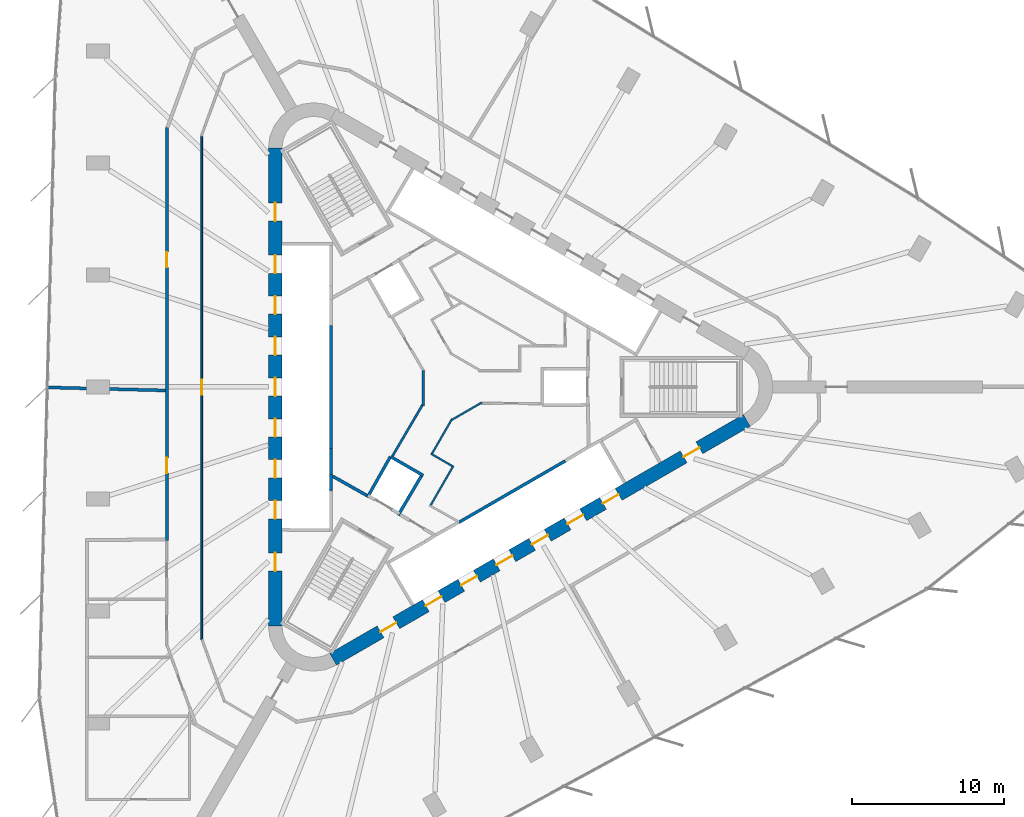
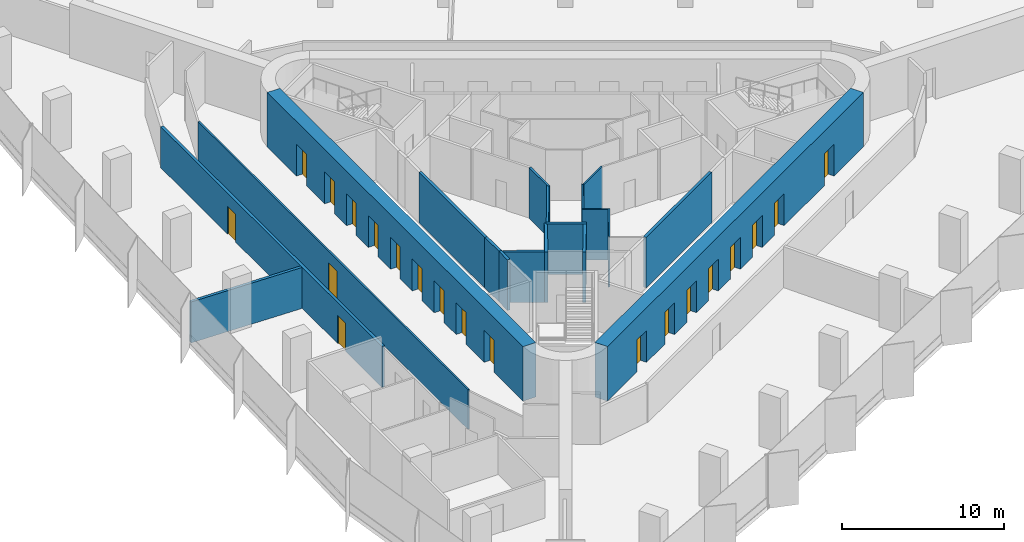
# One storey, part 9 of 13: 20 doors, 19 walls, 20 openings.
"""IFC4 building model written with IfcOpenShell, lengths in metres."""

from ifc_helpers import new_model, si_unit, direction, frame, frame_2d, origin, place, context, subcontext, project, spatial, rectangle, extrude, material, layer, layer_set, type_object, element, fill, save


model = new_model("IFC4")

# Units and contexts
model_context = context("Model", 3, precision=1e-05, world=origin(), true_north=direction((0.0, 1.0)))
body_context = subcontext(model_context, "Body", "Model", "MODEL_VIEW")
ifc_project = project(units=[si_unit("LENGTHUNIT", "METRE"), si_unit("AREAUNIT", "SQUARE_METRE"), si_unit("VOLUMEUNIT", "CUBIC_METRE"), si_unit("PLANEANGLEUNIT", "RADIAN"), si_unit("MASSUNIT", "GRAM", prefix="KILO")], contexts=[model_context])

# Site, building, storey
site_placement = place(None, origin())
site = spatial("IfcSite", under=ifc_project, at=site_placement, CompositionType="ELEMENT")
building_placement = place(site_placement, origin())
building = spatial("IfcBuilding", under=site, at=building_placement, Name="Tanit Gate Tower", CompositionType="ELEMENT")
storey_placement = place(building_placement, frame((0.0, 0.0, 66.0)))
storey = spatial("IfcBuildingStorey", under=building, at=storey_placement, Name="L12", CompositionType="ELEMENT", Elevation=66.0)

# Wall, openings, doors
ifc_material_1 = material(Name="Concrete C60/75", Category="concrete")
ifc_layer_1 = layer(ifc_material_1, 0.89990234375)
ifc_layer_set_1 = layer_set([ifc_layer_1], Name="CORE WALL 900 C60/75")
wall_type_1 = type_object("IfcWallType", Name="CORE WALL 900 C60/75", PredefinedType="SHEAR", material=ifc_layer_set_1)
wall_1_placement = place(storey_placement, frame((-11.64990234375, 15.76171875, 0.0), z_axis=(0.0, 0.0, 1.0), x_axis=(0.0, -1.0, 0.0)))
wall_1 = element("IfcWall", 1, at=wall_1_placement, inside=storey, type_object=wall_type_1, Name="CORE WALL", PredefinedType="SHEAR", context=body_context, shape_type="SweptSolid", body=[
    extrude(rectangle(XDim=31.5234375, YDim=0.89990234375, at=frame_2d((15.76171875, 0.0))), origin(), (0.0, 0.0, 1.0), 4.10009765625),
])
opening_1_placement = place(wall_1_placement, frame((7.061767578125, 0.0, 0.0)))
opening_1 = element("IfcOpeningElement", 2, at=opening_1_placement, cuts=wall_1, Name="Opening LDLL1-S01", PredefinedType="OPENING", context=body_context, shape_type="SweptSolid", body=[
    extrude(rectangle(XDim=1.199951171875, YDim=2.39990234375, at=frame_2d((0.60009765625, 1.199951171875))), frame((0.0, 0.4599609375, 0.0), z_axis=(0.0, -1.0, 0.0), x_axis=(1.0, 0.0, 0.0)), (0.0, 0.0, 1.0), 0.919921875),
])
opening_2_placement = place(wall_1_placement, frame((9.76171875, 0.0, 0.0)))
opening_2 = element("IfcOpeningElement", 3, at=opening_2_placement, cuts=wall_1, Name="Opening LDLL2-S01", PredefinedType="OPENING", context=body_context, shape_type="SweptSolid", body=[
    extrude(rectangle(XDim=1.199951171875, YDim=2.39990234375, at=frame_2d((0.60009765625, 1.199951171875))), frame((0.0, 0.4599609375, 0.0), z_axis=(0.0, -1.0, 0.0), x_axis=(1.0, 0.0, 0.0)), (0.0, 0.0, 1.0), 0.919921875),
])
opening_3_placement = place(wall_1_placement, frame((12.461669921875, 0.0, 0.0)))
opening_3 = element("IfcOpeningElement", 4, at=opening_3_placement, cuts=wall_1, Name="Opening LDLL3-S01", PredefinedType="OPENING", context=body_context, shape_type="SweptSolid", body=[
    extrude(rectangle(XDim=1.199951171875, YDim=2.39990234375, at=frame_2d((0.60009765625, 1.199951171875))), frame((0.0, 0.4599609375, 0.0), z_axis=(0.0, -1.0, 0.0), x_axis=(1.0, 0.0, 0.0)), (0.0, 0.0, 1.0), 0.919921875),
])
opening_4_placement = place(wall_1_placement, frame((15.16162109375, 0.0, 0.0)))
opening_4 = element("IfcOpeningElement", 5, at=opening_4_placement, cuts=wall_1, Name="Opening LDLL4-S01", PredefinedType="OPENING", context=body_context, shape_type="SweptSolid", body=[
    extrude(rectangle(XDim=1.199951171875, YDim=2.39990234375, at=frame_2d((0.60009765625, 1.199951171875))), frame((0.0, 0.4599609375, 0.0), z_axis=(0.0, -1.0, 0.0), x_axis=(1.0, 0.0, 0.0)), (0.0, 0.0, 1.0), 0.919921875),
])
opening_5_placement = place(wall_1_placement, frame((17.86181640625, 0.0, 0.0)))
opening_5 = element("IfcOpeningElement", 6, at=opening_5_placement, cuts=wall_1, Name="Opening LDLL5-S01", PredefinedType="OPENING", context=body_context, shape_type="SweptSolid", body=[
    extrude(rectangle(XDim=1.199951171875, YDim=2.39990234375, at=frame_2d((0.60009765625, 1.199951171875))), frame((0.0, 0.4599609375, 0.0), z_axis=(0.0, -1.0, 0.0), x_axis=(1.0, 0.0, 0.0)), (0.0, 0.0, 1.0), 0.919921875),
])
opening_6_placement = place(wall_1_placement, frame((20.561767578125, 0.0, 0.0)))
opening_6 = element("IfcOpeningElement", 7, at=opening_6_placement, cuts=wall_1, Name="Opening LDLL6-S01", PredefinedType="OPENING", context=body_context, shape_type="SweptSolid", body=[
    extrude(rectangle(XDim=1.199951171875, YDim=2.39990234375, at=frame_2d((0.60009765625, 1.199951171875))), frame((0.0, 0.4599609375, 0.0), z_axis=(0.0, -1.0, 0.0), x_axis=(1.0, 0.0, 0.0)), (0.0, 0.0, 1.0), 0.919921875),
])
opening_7_placement = place(wall_1_placement, frame((23.26171875, 0.0, 0.0)))
opening_7 = element("IfcOpeningElement", 8, at=opening_7_placement, cuts=wall_1, Name="Opening LDLL7-S01", PredefinedType="OPENING", context=body_context, shape_type="SweptSolid", body=[
    extrude(rectangle(XDim=1.199951171875, YDim=2.39990234375, at=frame_2d((0.60009765625, 1.199951171875))), frame((0.0, 0.4599609375, 0.0), z_axis=(0.0, -1.0, 0.0), x_axis=(1.0, 0.0, 0.0)), (0.0, 0.0, 1.0), 0.919921875),
])
opening_8_placement = place(wall_1_placement, frame((3.61181640625, 0.0, 0.0)))
opening_8 = element("IfcOpeningElement", 9, at=opening_8_placement, cuts=wall_1, Name="Opening F12-S01-FL2", PredefinedType="OPENING", context=body_context, shape_type="SweptSolid", body=[
    extrude(rectangle(XDim=1.199951171875, YDim=2.39990234375, at=frame_2d((0.60009765625, 1.199951171875))), frame((0.0, 0.4599609375, 0.0), z_axis=(0.0, -1.0, 0.0), x_axis=(1.0, 0.0, 0.0)), (0.0, 0.0, 1.0), 0.919921875),
])
opening_9_placement = place(wall_1_placement, frame((26.711669921875, 0.0, 0.0)))
opening_9 = element("IfcOpeningElement", 10, at=opening_9_placement, cuts=wall_1, Name="Opening F12-S01-S3", PredefinedType="OPENING", context=body_context, shape_type="SweptSolid", body=[
    extrude(rectangle(XDim=1.199951171875, YDim=2.39990234375, at=frame_2d((0.60009765625, 1.199951171875))), frame((0.0, 0.4599609375, 0.0), z_axis=(0.0, -1.0, 0.0), x_axis=(1.0, 0.0, 0.0)), (0.0, 0.0, 1.0), 0.919921875),
])
ifc_material_2 = material(Name="Fire-rated steel door leaf", Category="steel")
door_type_1 = type_object("IfcDoorType", Name="INT-DOOR-FIRE-LOBBY-1200", OperationType="NOTDEFINED", PredefinedType="USERDEFINED", material=ifc_material_2)
door_1_placement = place(opening_8_placement, origin())
door_1 = element("IfcDoor", 11, at=door_1_placement, inside=storey, type_object=door_type_1, Name="Door F12-S01-FL2", ObjectType="FIRE DOOR", OperationType="SINGLE_SWING_LEFT", OverallHeight=2.39990234375, OverallWidth=1.199951171875, PredefinedType="USERDEFINED", context=body_context, shape_type="SweptSolid", body=[
    extrude(rectangle(XDim=1.199951171875, YDim=2.39990234375, at=frame_2d((0.60009765625, 1.199951171875))), frame((0.0, 0.02490234375, 0.0), z_axis=(0.0, -1.0, 0.0), x_axis=(1.0, 0.0, 0.0)), (0.0, 0.0, 1.0), 0.050048828125),
])
fill(opening_8, door_1)
door_2_placement = place(opening_9_placement, origin())
door_2 = element("IfcDoor", 12, at=door_2_placement, inside=storey, type_object=door_type_1, Name="Door F12-S01-S3", ObjectType="FIRE DOOR", OperationType="SINGLE_SWING_LEFT", OverallHeight=2.39990234375, OverallWidth=1.199951171875, PredefinedType="USERDEFINED", context=body_context, shape_type="SweptSolid", body=[
    extrude(rectangle(XDim=1.199951171875, YDim=2.39990234375, at=frame_2d((0.60009765625, 1.199951171875))), frame((0.0, 0.02490234375, 0.0), z_axis=(0.0, -1.0, 0.0), x_axis=(1.0, 0.0, 0.0)), (0.0, 0.0, 1.0), 0.050048828125),
])
fill(opening_9, door_2)
ifc_material_3 = material(Name="Stainless steel sliding door leaf", Category="steel")
door_type_2 = type_object("IfcDoorType", Name="INT-DOOR-LANDING-1200", OperationType="NOTDEFINED", PredefinedType="USERDEFINED", material=ifc_material_3)
door_3_placement = place(opening_1_placement, origin())
door_3 = element("IfcDoor", 13, at=door_3_placement, inside=storey, type_object=door_type_2, Name="Door LDLL1-S01", ObjectType="LANDING DOOR", OperationType="SLIDING_TO_LEFT", OverallHeight=2.39990234375, OverallWidth=1.199951171875, PredefinedType="USERDEFINED", context=body_context, shape_type="SweptSolid", body=[
    extrude(rectangle(XDim=1.199951171875, YDim=2.39990234375, at=frame_2d((0.60009765625, 1.199951171875))), frame((0.0, 0.02490234375, 0.0), z_axis=(0.0, -1.0, 0.0), x_axis=(1.0, 0.0, 0.0)), (0.0, 0.0, 1.0), 0.050048828125),
])
fill(opening_1, door_3)
door_4_placement = place(opening_2_placement, origin())
door_4 = element("IfcDoor", 14, at=door_4_placement, inside=storey, type_object=door_type_2, Name="Door LDLL2-S01", ObjectType="LANDING DOOR", OperationType="SLIDING_TO_LEFT", OverallHeight=2.39990234375, OverallWidth=1.199951171875, PredefinedType="USERDEFINED", context=body_context, shape_type="SweptSolid", body=[
    extrude(rectangle(XDim=1.199951171875, YDim=2.39990234375, at=frame_2d((0.60009765625, 1.199951171875))), frame((0.0, 0.02490234375, 0.0), z_axis=(0.0, -1.0, 0.0), x_axis=(1.0, 0.0, 0.0)), (0.0, 0.0, 1.0), 0.050048828125),
])
fill(opening_2, door_4)
door_5_placement = place(opening_3_placement, origin())
door_5 = element("IfcDoor", 15, at=door_5_placement, inside=storey, type_object=door_type_2, Name="Door LDLL3-S01", ObjectType="LANDING DOOR", OperationType="SLIDING_TO_LEFT", OverallHeight=2.39990234375, OverallWidth=1.199951171875, PredefinedType="USERDEFINED", context=body_context, shape_type="SweptSolid", body=[
    extrude(rectangle(XDim=1.199951171875, YDim=2.39990234375, at=frame_2d((0.60009765625, 1.199951171875))), frame((0.0, 0.02490234375, 0.0), z_axis=(0.0, -1.0, 0.0), x_axis=(1.0, 0.0, 0.0)), (0.0, 0.0, 1.0), 0.050048828125),
])
fill(opening_3, door_5)
door_6_placement = place(opening_4_placement, origin())
door_6 = element("IfcDoor", 16, at=door_6_placement, inside=storey, type_object=door_type_2, Name="Door LDLL4-S01", ObjectType="LANDING DOOR", OperationType="SLIDING_TO_LEFT", OverallHeight=2.39990234375, OverallWidth=1.199951171875, PredefinedType="USERDEFINED", context=body_context, shape_type="SweptSolid", body=[
    extrude(rectangle(XDim=1.199951171875, YDim=2.39990234375, at=frame_2d((0.60009765625, 1.199951171875))), frame((0.0, 0.02490234375, 0.0), z_axis=(0.0, -1.0, 0.0), x_axis=(1.0, 0.0, 0.0)), (0.0, 0.0, 1.0), 0.050048828125),
])
fill(opening_4, door_6)
door_7_placement = place(opening_5_placement, origin())
door_7 = element("IfcDoor", 17, at=door_7_placement, inside=storey, type_object=door_type_2, Name="Door LDLL5-S01", ObjectType="LANDING DOOR", OperationType="SLIDING_TO_LEFT", OverallHeight=2.39990234375, OverallWidth=1.199951171875, PredefinedType="USERDEFINED", context=body_context, shape_type="SweptSolid", body=[
    extrude(rectangle(XDim=1.199951171875, YDim=2.39990234375, at=frame_2d((0.60009765625, 1.199951171875))), frame((0.0, 0.02490234375, 0.0), z_axis=(0.0, -1.0, 0.0), x_axis=(1.0, 0.0, 0.0)), (0.0, 0.0, 1.0), 0.050048828125),
])
fill(opening_5, door_7)
door_8_placement = place(opening_6_placement, origin())
door_8 = element("IfcDoor", 18, at=door_8_placement, inside=storey, type_object=door_type_2, Name="Door LDLL6-S01", ObjectType="LANDING DOOR", OperationType="SLIDING_TO_LEFT", OverallHeight=2.39990234375, OverallWidth=1.199951171875, PredefinedType="USERDEFINED", context=body_context, shape_type="SweptSolid", body=[
    extrude(rectangle(XDim=1.199951171875, YDim=2.39990234375, at=frame_2d((0.60009765625, 1.199951171875))), frame((0.0, 0.02490234375, 0.0), z_axis=(0.0, -1.0, 0.0), x_axis=(1.0, 0.0, 0.0)), (0.0, 0.0, 1.0), 0.050048828125),
])
fill(opening_6, door_8)
door_9_placement = place(opening_7_placement, origin())
door_9 = element("IfcDoor", 19, at=door_9_placement, inside=storey, type_object=door_type_2, Name="Door LDLL7-S01", ObjectType="LANDING DOOR", OperationType="SLIDING_TO_LEFT", OverallHeight=2.39990234375, OverallWidth=1.199951171875, PredefinedType="USERDEFINED", context=body_context, shape_type="SweptSolid", body=[
    extrude(rectangle(XDim=1.199951171875, YDim=2.39990234375, at=frame_2d((0.60009765625, 1.199951171875))), frame((0.0, 0.02490234375, 0.0), z_axis=(0.0, -1.0, 0.0), x_axis=(1.0, 0.0, 0.0)), (0.0, 0.0, 1.0), 0.050048828125),
])
fill(opening_7, door_9)

wall_2_placement = place(storey_placement, frame((-7.824951171875, -17.969970703125, 0.0), z_axis=(0.0, 0.0, 1.0), x_axis=(0.866028369851, 0.499994862586, 0.0)))
wall_2 = element("IfcWall", 20, at=wall_2_placement, inside=storey, type_object=wall_type_1, Name="CORE WALL", PredefinedType="SHEAR", context=body_context, shape_type="SweptSolid", body=[
    extrude(rectangle(XDim=31.523193359375, YDim=0.89990234375, at=frame_2d((15.76171875, 0.0))), origin(), (0.0, 0.0, 1.0), 4.10009765625),
])
opening_10_placement = place(wall_2_placement, frame((7.061767578125, 0.0, 0.0)))
opening_10 = element("IfcOpeningElement", 21, at=opening_10_placement, cuts=wall_2, Name="Opening LDSX1-S01", PredefinedType="OPENING", context=body_context, shape_type="SweptSolid", body=[
    extrude(rectangle(XDim=1.199951171875, YDim=2.39990234375, at=frame_2d((0.60009765625, 1.199951171875))), frame((0.0, 0.4599609375, 0.0), z_axis=(0.0, -1.0, 0.0), x_axis=(1.0, 0.0, 0.0)), (0.0, 0.0, 1.0), 0.919921875),
])
opening_11_placement = place(wall_2_placement, frame((9.76171875, 0.0, 0.0)))
opening_11 = element("IfcOpeningElement", 22, at=opening_11_placement, cuts=wall_2, Name="Opening LDSX2-S01", PredefinedType="OPENING", context=body_context, shape_type="SweptSolid", body=[
    extrude(rectangle(XDim=1.199951171875, YDim=2.39990234375, at=frame_2d((0.60009765625, 1.199951171875))), frame((0.0, 0.4599609375, 0.0), z_axis=(0.0, -1.0, 0.0), x_axis=(1.0, 0.0, 0.0)), (0.0, 0.0, 1.0), 0.919921875),
])
opening_12_placement = place(wall_2_placement, frame((12.461669921875, 0.0, 0.0)))
opening_12 = element("IfcOpeningElement", 23, at=opening_12_placement, cuts=wall_2, Name="Opening LDSX3-S01", PredefinedType="OPENING", context=body_context, shape_type="SweptSolid", body=[
    extrude(rectangle(XDim=1.199951171875, YDim=2.39990234375, at=frame_2d((0.60009765625, 1.199951171875))), frame((0.0, 0.4599609375, 0.0), z_axis=(0.0, -1.0, 0.0), x_axis=(1.0, 0.0, 0.0)), (0.0, 0.0, 1.0), 0.919921875),
])
opening_13_placement = place(wall_2_placement, frame((15.16162109375, 0.0, 0.0)))
opening_13 = element("IfcOpeningElement", 24, at=opening_13_placement, cuts=wall_2, Name="Opening LDSX4-S01", PredefinedType="OPENING", context=body_context, shape_type="SweptSolid", body=[
    extrude(rectangle(XDim=1.199951171875, YDim=2.39990234375, at=frame_2d((0.60009765625, 1.199951171875))), frame((0.0, 0.4599609375, 0.0), z_axis=(0.0, -1.0, 0.0), x_axis=(1.0, 0.0, 0.0)), (0.0, 0.0, 1.0), 0.919921875),
])
opening_14_placement = place(wall_2_placement, frame((17.861572265625, 0.0, 0.0)))
opening_14 = element("IfcOpeningElement", 25, at=opening_14_placement, cuts=wall_2, Name="Opening LDSV1-S01", PredefinedType="OPENING", context=body_context, shape_type="SweptSolid", body=[
    extrude(rectangle(XDim=1.199951171875, YDim=2.39990234375, at=frame_2d((0.60009765625, 1.199951171875))), frame((0.0, 0.4599609375, 0.0), z_axis=(0.0, -1.0, 0.0), x_axis=(1.0, 0.0, 0.0)), (0.0, 0.0, 1.0), 0.919921875),
])
opening_15_placement = place(wall_2_placement, frame((20.561767578125, 0.0, 0.0)))
opening_15 = element("IfcOpeningElement", 26, at=opening_15_placement, cuts=wall_2, Name="Opening LDSV2-S01", PredefinedType="OPENING", context=body_context, shape_type="SweptSolid", body=[
    extrude(rectangle(XDim=1.199951171875, YDim=2.39990234375, at=frame_2d((0.60009765625, 1.199951171875))), frame((0.0, 0.4599609375, 0.0), z_axis=(0.0, -1.0, 0.0), x_axis=(1.0, 0.0, 0.0)), (0.0, 0.0, 1.0), 0.919921875),
])
opening_16_placement = place(wall_2_placement, frame((26.711669921875, 0.0, 0.0)))
opening_16 = element("IfcOpeningElement", 27, at=opening_16_placement, cuts=wall_2, Name="Opening F12-S01-S1", PredefinedType="OPENING", context=body_context, shape_type="SweptSolid", body=[
    extrude(rectangle(XDim=1.199951171875, YDim=2.39990234375, at=frame_2d((0.60009765625, 1.199951171875))), frame((0.0, 0.4599609375, 0.0), z_axis=(0.0, -1.0, 0.0), x_axis=(1.0, 0.0, 0.0)), (0.0, 0.0, 1.0), 0.919921875),
])
opening_17_placement = place(wall_2_placement, frame((3.611572265625, 0.0, 0.0)))
opening_17 = element("IfcOpeningElement", 28, at=opening_17_placement, cuts=wall_2, Name="Opening F12-S01-FL3", PredefinedType="OPENING", context=body_context, shape_type="SweptSolid", body=[
    extrude(rectangle(XDim=1.199951171875, YDim=2.39990234375, at=frame_2d((0.60009765625, 1.199951171875))), frame((0.0, 0.4599609375, 0.0), z_axis=(0.0, -1.0, 0.0), x_axis=(1.0, 0.0, 0.0)), (0.0, 0.0, 1.0), 0.919921875),
])
door_10_placement = place(opening_16_placement, origin())
door_10 = element("IfcDoor", 29, at=door_10_placement, inside=storey, type_object=door_type_1, Name="Door F12-S01-S1", ObjectType="FIRE DOOR", OperationType="SINGLE_SWING_RIGHT", OverallHeight=2.39990234375, OverallWidth=1.199951171875, PredefinedType="USERDEFINED", context=body_context, shape_type="SweptSolid", body=[
    extrude(rectangle(XDim=1.199951171875, YDim=2.39990234375, at=frame_2d((0.60009765625, 1.199951171875))), frame((0.0, 0.02490234375, 0.0), z_axis=(0.0, -1.0, 0.0), x_axis=(1.0, 0.0, 0.0)), (0.0, 0.0, 1.0), 0.050048828125),
])
fill(opening_16, door_10)
door_11_placement = place(opening_17_placement, origin())
door_11 = element("IfcDoor", 30, at=door_11_placement, inside=storey, type_object=door_type_1, Name="Door F12-S01-FL3", ObjectType="FIRE DOOR", OperationType="SINGLE_SWING_RIGHT", OverallHeight=2.39990234375, OverallWidth=1.199951171875, PredefinedType="USERDEFINED", context=body_context, shape_type="SweptSolid", body=[
    extrude(rectangle(XDim=1.199951171875, YDim=2.39990234375, at=frame_2d((0.60009765625, 1.199951171875))), frame((0.0, 0.02490234375, 0.0), z_axis=(0.0, -1.0, 0.0), x_axis=(1.0, 0.0, 0.0)), (0.0, 0.0, 1.0), 0.050048828125),
])
fill(opening_17, door_11)
door_12_placement = place(opening_10_placement, origin())
door_12 = element("IfcDoor", 31, at=door_12_placement, inside=storey, type_object=door_type_2, Name="Door LDSX1-S01", ObjectType="LANDING DOOR", OperationType="SLIDING_TO_LEFT", OverallHeight=2.39990234375, OverallWidth=1.199951171875, PredefinedType="USERDEFINED", context=body_context, shape_type="SweptSolid", body=[
    extrude(rectangle(XDim=1.199951171875, YDim=2.39990234375, at=frame_2d((0.60009765625, 1.199951171875))), frame((0.0, 0.02490234375, 0.0), z_axis=(0.0, -1.0, 0.0), x_axis=(1.0, 0.0, 0.0)), (0.0, 0.0, 1.0), 0.050048828125),
])
fill(opening_10, door_12)
door_13_placement = place(opening_11_placement, origin())
door_13 = element("IfcDoor", 32, at=door_13_placement, inside=storey, type_object=door_type_2, Name="Door LDSX2-S01", ObjectType="LANDING DOOR", OperationType="SLIDING_TO_LEFT", OverallHeight=2.39990234375, OverallWidth=1.199951171875, PredefinedType="USERDEFINED", context=body_context, shape_type="SweptSolid", body=[
    extrude(rectangle(XDim=1.199951171875, YDim=2.39990234375, at=frame_2d((0.60009765625, 1.199951171875))), frame((0.0, 0.02490234375, 0.0), z_axis=(0.0, -1.0, 0.0), x_axis=(1.0, 0.0, 0.0)), (0.0, 0.0, 1.0), 0.050048828125),
])
fill(opening_11, door_13)
door_14_placement = place(opening_12_placement, origin())
door_14 = element("IfcDoor", 33, at=door_14_placement, inside=storey, type_object=door_type_2, Name="Door LDSX3-S01", ObjectType="LANDING DOOR", OperationType="SLIDING_TO_LEFT", OverallHeight=2.39990234375, OverallWidth=1.199951171875, PredefinedType="USERDEFINED", context=body_context, shape_type="SweptSolid", body=[
    extrude(rectangle(XDim=1.199951171875, YDim=2.39990234375, at=frame_2d((0.60009765625, 1.199951171875))), frame((0.0, 0.02490234375, 0.0), z_axis=(0.0, -1.0, 0.0), x_axis=(1.0, 0.0, 0.0)), (0.0, 0.0, 1.0), 0.050048828125),
])
fill(opening_12, door_14)
door_15_placement = place(opening_13_placement, origin())
door_15 = element("IfcDoor", 34, at=door_15_placement, inside=storey, type_object=door_type_2, Name="Door LDSX4-S01", ObjectType="LANDING DOOR", OperationType="SLIDING_TO_LEFT", OverallHeight=2.39990234375, OverallWidth=1.199951171875, PredefinedType="USERDEFINED", context=body_context, shape_type="SweptSolid", body=[
    extrude(rectangle(XDim=1.199951171875, YDim=2.39990234375, at=frame_2d((0.60009765625, 1.199951171875))), frame((0.0, 0.02490234375, 0.0), z_axis=(0.0, -1.0, 0.0), x_axis=(1.0, 0.0, 0.0)), (0.0, 0.0, 1.0), 0.050048828125),
])
fill(opening_13, door_15)
door_16_placement = place(opening_14_placement, origin())
door_16 = element("IfcDoor", 35, at=door_16_placement, inside=storey, type_object=door_type_2, Name="Door LDSV1-S01", ObjectType="LANDING DOOR", OperationType="SLIDING_TO_LEFT", OverallHeight=2.39990234375, OverallWidth=1.199951171875, PredefinedType="USERDEFINED", context=body_context, shape_type="SweptSolid", body=[
    extrude(rectangle(XDim=1.199951171875, YDim=2.39990234375, at=frame_2d((0.60009765625, 1.199951171875))), frame((0.0, 0.02490234375, 0.0), z_axis=(0.0, -1.0, 0.0), x_axis=(1.0, 0.0, 0.0)), (0.0, 0.0, 1.0), 0.050048828125),
])
fill(opening_14, door_16)
door_17_placement = place(opening_15_placement, origin())
door_17 = element("IfcDoor", 36, at=door_17_placement, inside=storey, type_object=door_type_2, Name="Door LDSV2-S01", ObjectType="LANDING DOOR", OperationType="SLIDING_TO_LEFT", OverallHeight=2.39990234375, OverallWidth=1.199951171875, PredefinedType="USERDEFINED", context=body_context, shape_type="SweptSolid", body=[
    extrude(rectangle(XDim=1.199951171875, YDim=2.39990234375, at=frame_2d((0.60009765625, 1.199951171875))), frame((0.0, 0.02490234375, 0.0), z_axis=(0.0, -1.0, 0.0), x_axis=(1.0, 0.0, 0.0)), (0.0, 0.0, 1.0), 0.050048828125),
])
fill(opening_15, door_17)

# Wall
ifc_material_4 = material(Name="Fire-rated gypsum board partition")
ifc_layer_2 = layer(ifc_material_4, 0.199951171875)
ifc_layer_set_2 = layer_set([ifc_layer_2], Name="INT-WALL-COMPARTMENT")
wall_type_2 = type_object("IfcWallType", Name="INT-WALL-COMPARTMENT", PredefinedType="PARTITIONING", material=ifc_layer_set_2)
wall_3_placement = place(storey_placement, frame((-7.84912109375, -5.893798828125, 0.0), z_axis=(0.0, 0.0, 1.0), x_axis=(0.871340486379, -0.490678873396, 0.0)))
element("IfcWall", 37, at=wall_3_placement, inside=storey, type_object=wall_type_2, Name="Wall Compartment W063", PredefinedType="PARTITIONING", context=body_context, shape_type="SweptSolid", body=[
    extrude(rectangle(XDim=2.580810546875, YDim=0.199951171875, at=frame_2d((1.29052734375, 0.0))), origin(), (0.0, 0.0, 1.0), 3.800048828125),
])

# Wall, openings, doors
wall_4_placement = place(storey_placement, frame((-18.800048828125, 17.122314453125, 0.0), z_axis=(0.0, 0.0, 1.0), x_axis=(0.0, -1.0, 0.0)))
wall_4 = element("IfcWall", 38, at=wall_4_placement, inside=storey, type_object=wall_type_2, Name="Wall Compartment W094", PredefinedType="PARTITIONING", context=body_context, shape_type="SweptSolid", body=[
    extrude(rectangle(XDim=27.252197265625, YDim=0.199951171875, at=frame_2d((13.6259765625, 0.0))), origin(), (0.0, 0.0, 1.0), 3.080078125),
])
opening_18_placement = place(wall_4_placement, frame((21.80419921875, 0.0, 0.0)))
opening_18 = element("IfcOpeningElement", 39, at=opening_18_placement, cuts=wall_4, Name="Opening F10-S01-20", PredefinedType="OPENING", context=body_context, shape_type="SweptSolid", body=[
    extrude(rectangle(XDim=1.0, YDim=2.10009765625, at=frame_2d((0.5, 1.050048828125))), frame((0.0, 0.10986328125, 0.0), z_axis=(0.0, -1.0, 0.0), x_axis=(1.0, 0.0, 0.0)), (0.0, 0.0, 1.0), 0.219970703125),
])
opening_19_placement = place(wall_4_placement, frame((8.22802734375, 0.0, 0.0)))
opening_19 = element("IfcOpeningElement", 40, at=opening_19_placement, cuts=wall_4, Name="Opening F10-S01-21", PredefinedType="OPENING", context=body_context, shape_type="SweptSolid", body=[
    extrude(rectangle(XDim=1.0, YDim=2.10009765625, at=frame_2d((0.5, 1.050048828125))), frame((0.0, 0.10986328125, 0.0), z_axis=(0.0, -1.0, 0.0), x_axis=(1.0, 0.0, 0.0)), (0.0, 0.0, 1.0), 0.219970703125),
])
ifc_material_5 = material(Name="Fire-rated steel door leaf", Category="steel")
door_type_3 = type_object("IfcDoorType", Name="INT-DOOR-FIRE-1000", OperationType="NOTDEFINED", PredefinedType="USERDEFINED", material=ifc_material_5)
door_18_placement = place(opening_18_placement, origin())
door_18 = element("IfcDoor", 41, at=door_18_placement, inside=storey, type_object=door_type_3, Name="Door F10-S01-20", ObjectType="FIRE DOOR", OperationType="SINGLE_SWING_LEFT", OverallHeight=2.10009765625, OverallWidth=1.0, PredefinedType="USERDEFINED", context=body_context, shape_type="SweptSolid", body=[
    extrude(rectangle(XDim=1.0, YDim=2.10009765625, at=frame_2d((0.5, 1.050048828125))), frame((0.0, 0.02490234375, 0.0), z_axis=(0.0, -1.0, 0.0), x_axis=(1.0, 0.0, 0.0)), (0.0, 0.0, 1.0), 0.050048828125),
])
fill(opening_18, door_18)
door_19_placement = place(opening_19_placement, origin())
door_19 = element("IfcDoor", 42, at=door_19_placement, inside=storey, type_object=door_type_3, Name="Door F10-S01-21", ObjectType="FIRE DOOR", OperationType="SINGLE_SWING_RIGHT", OverallHeight=2.10009765625, OverallWidth=1.0, PredefinedType="USERDEFINED", context=body_context, shape_type="SweptSolid", body=[
    extrude(rectangle(XDim=1.0, YDim=2.10009765625, at=frame_2d((0.5, 1.050048828125))), frame((0.0, 0.02490234375, 0.0), z_axis=(0.0, -1.0, 0.0), x_axis=(1.0, 0.0, 0.0)), (0.0, 0.0, 1.0), 0.050048828125),
])
fill(opening_19, door_19)

# Walls
wall_5_placement = place(storey_placement, frame((-26.684814453125, -0.029296875, 0.0), z_axis=(0.0, 0.0, 1.0), x_axis=(0.999664660835, -0.025895286789, 0.0)))
element("IfcWall", 43, at=wall_5_placement, inside=storey, type_object=wall_type_2, Name="Wall Compartment W113", PredefinedType="PARTITIONING", context=body_context, shape_type="SweptSolid", body=[
    extrude(rectangle(XDim=7.78759765625, YDim=0.199951171875, at=frame_2d((3.893798828125, 0.0))), origin(), (0.0, 0.0, 1.0), 3.080078125),
])
ifc_material_6 = material(Name="Gypsum board partition")
ifc_layer_3 = layer(ifc_material_6, 0.1201171875)
ifc_layer_set_3 = layer_set([ifc_layer_3], Name="INT-WALL-PARTITION")
wall_type_3 = type_object("IfcWallType", Name="INT-WALL-PARTITION", PredefinedType="PARTITIONING", material=ifc_layer_set_3)
wall_6_placement = place(storey_placement, frame((0.1181640625, -5.195068359375, 0.0), z_axis=(0.0, 0.0, 1.0), x_axis=(-0.499990139034, -0.866031096941, 0.0)))
element("IfcWall", 44, at=wall_6_placement, inside=storey, type_object=wall_type_3, Name="Wall Partition W069", PredefinedType="PARTITIONING", context=body_context, shape_type="SweptSolid", body=[
    extrude(rectangle(XDim=3.0, YDim=0.1201171875, at=frame_2d((1.5, 0.0))), origin(), (0.0, 0.0, 1.0), 3.800048828125),
])
wall_7_placement = place(storey_placement, frame((-1.37109375, -4.404541015625, 0.0), z_axis=(0.0, 0.0, 1.0), x_axis=(0.866053003207, -0.499952193351, 0.0)))
element("IfcWall", 45, at=wall_7_placement, inside=storey, type_object=wall_type_3, Name="Wall Partition W070", PredefinedType="PARTITIONING", context=body_context, shape_type="SweptSolid", body=[
    extrude(rectangle(XDim=1.625244140625, YDim=0.1201171875, at=frame_2d((0.8125, 0.0))), origin(), (0.0, 0.0, 1.0), 3.800048828125),
])
wall_8_placement = place(storey_placement, frame((0.0302734375, -2.097412109375, 0.0), z_axis=(0.0, 0.0, 1.0), x_axis=(-0.500000102728, -0.866025344474, 0.0)))
element("IfcWall", 46, at=wall_8_placement, inside=storey, type_object=wall_type_3, Name="Wall Partition W071", PredefinedType="PARTITIONING", context=body_context, shape_type="SweptSolid", body=[
    extrude(rectangle(XDim=2.638671875, YDim=0.1201171875, at=frame_2d((1.3193359375, 0.0))), origin(), (0.0, 0.0, 1.0), 3.800048828125),
])
wall_9_placement = place(storey_placement, frame((1.993896484375, -1.02392578125, 0.0), z_axis=(0.0, 0.0, 1.0), x_axis=(-0.866048237946, -0.499960447986, 0.0)))
element("IfcWall", 47, at=wall_9_placement, inside=storey, type_object=wall_type_3, Name="Wall Partition W072", PredefinedType="PARTITIONING", context=body_context, shape_type="SweptSolid", body=[
    extrude(rectangle(XDim=2.308837890625, YDim=0.1201171875, at=frame_2d((1.154296875, 0.0))), origin(), (0.0, 0.0, 1.0), 3.800048828125),
])

# Wall, opening, door
wall_10_placement = place(storey_placement, frame((-16.5, 16.556884765625, 0.0), z_axis=(0.0, 0.0, 1.0), x_axis=(0.0, -1.0, 0.0)))
wall_10 = element("IfcWall", 48, at=wall_10_placement, inside=storey, type_object=wall_type_3, Name="Wall Partition W088", PredefinedType="PARTITIONING", context=body_context, shape_type="SweptSolid", body=[
    extrude(rectangle(XDim=33.233642578125, YDim=0.1201171875, at=frame_2d((16.61669921875, 0.0))), origin(), (0.0, 0.0, 1.0), 2.97998046875),
])
opening_20_placement = place(wall_10_placement, frame((16.0869140625, 0.0, 0.0)))
opening_20 = element("IfcOpeningElement", 49, at=opening_20_placement, cuts=wall_10, Name="Opening D10-S01-15", PredefinedType="OPENING", context=body_context, shape_type="SweptSolid", body=[
    extrude(rectangle(XDim=1.0, YDim=2.10009765625, at=frame_2d((0.5, 1.050048828125))), frame((0.0, 0.070068359375, 0.0), z_axis=(0.0, -1.0, 0.0), x_axis=(1.0, 0.0, 0.0)), (0.0, 0.0, 1.0), 0.14013671875),
])
ifc_material_7 = material(Name="Timber door leaf", Category="wood")
door_type_4 = type_object("IfcDoorType", Name="INT-DOOR-SINGLE-1000", OperationType="NOTDEFINED", PredefinedType="NOTDEFINED", material=ifc_material_7)
door_20_placement = place(opening_20_placement, origin())
door_20 = element("IfcDoor", 50, at=door_20_placement, inside=storey, type_object=door_type_4, Name="Door D10-S01-15", OperationType="SINGLE_SWING_LEFT", OverallHeight=2.10009765625, OverallWidth=1.0, PredefinedType="NOTDEFINED", context=body_context, shape_type="SweptSolid", body=[
    extrude(rectangle(XDim=1.0, YDim=2.10009765625, at=frame_2d((0.5, 1.050048828125))), frame((0.0, 0.02490234375, 0.0), z_axis=(0.0, -1.0, 0.0), x_axis=(1.0, 0.0, 0.0)), (0.0, 0.0, 1.0), 0.050048828125),
])
fill(opening_20, door_20)

# Walls
ifc_material_8 = material(Name="Fire-rated gypsum board partition")
ifc_layer_4 = layer(ifc_material_8, 0.14990234375)
ifc_layer_set_4 = layer_set([ifc_layer_4], Name="INT-WALL-RISER")
wall_type_4 = type_object("IfcWallType", Name="INT-WALL-RISER", PredefinedType="PLUMBINGWALL", material=ifc_layer_set_4)
wall_11_placement = place(storey_placement, frame((-1.883544921875, -1.240234375, 0.0), z_axis=(0.0, 0.0, 1.0), x_axis=(0.0, 1.0, 0.0)))
element("IfcWall", 51, at=wall_11_placement, inside=storey, type_object=wall_type_4, Name="Wall Riser W066", PredefinedType="PLUMBINGWALL", context=body_context, shape_type="SweptSolid", body=[
    extrude(rectangle(XDim=2.3291015625, YDim=0.14990234375, at=frame_2d((1.16455078125, 0.0))), origin(), (0.0, 0.0, 1.0), 3.800048828125),
])
wall_12_placement = place(storey_placement, frame((-3.906005859375, -4.5576171875, 0.0), z_axis=(0.0, 0.0, 1.0), x_axis=(0.506254243073, 0.862384277089, 0.0)))
element("IfcWall", 52, at=wall_12_placement, inside=storey, type_object=wall_type_4, Name="Wall Riser W067", PredefinedType="PLUMBINGWALL", context=body_context, shape_type="SweptSolid", body=[
    extrude(rectangle(XDim=3.971435546875, YDim=0.14990234375, at=frame_2d((1.98583984375, 0.0))), origin(), (0.0, 0.0, 1.0), 3.800048828125),
])
ifc_material_9 = material(Name="Gypsum shaft wall system")
ifc_layer_5 = layer(ifc_material_9, 0.199951171875)
ifc_layer_set_5 = layer_set([ifc_layer_5], Name="INT-WALL-SHAFT")
wall_type_5 = type_object("IfcWallType", Name="INT-WALL-SHAFT", PredefinedType="PLUMBINGWALL", material=ifc_layer_set_5)
wall_13_placement = place(storey_placement, frame((-7.97998046875, 4.050048828125, 0.0), z_axis=(0.0, 0.0, 1.0), x_axis=(0.0, -1.0, 0.0)))
element("IfcWall", 53, at=wall_13_placement, inside=storey, type_object=wall_type_5, Name="Wall Shaft W006", PredefinedType="PLUMBINGWALL", context=body_context, shape_type="SweptSolid", body=[
    extrude(rectangle(XDim=8.10009765625, YDim=0.199951171875, at=frame_2d((4.050048828125, 0.0))), origin(), (0.0, 0.0, 1.0), 3.800048828125),
])
wall_14_placement = place(storey_placement, frame((-7.949951171875, -5.7724609375, 0.0), z_axis=(0.0, 0.0, 1.0), x_axis=(-0.030803413295, -0.999525462272, 0.0)))
element("IfcWall", 54, at=wall_14_placement, inside=storey, type_object=wall_type_5, Name="Wall Shaft W009", PredefinedType="PLUMBINGWALL", context=body_context, shape_type="SweptSolid", body=[
    extrude(rectangle(XDim=1.077880859375, YDim=0.199951171875, at=frame_2d((0.5390625, 0.0))), origin(), (0.0, 0.0, 1.0), 3.800048828125),
])
wall_15_placement = place(storey_placement, frame((-7.97998046875, -4.050048828125, 0.0), z_axis=(0.0, 0.0, 1.0), x_axis=(0.016809909365, -0.999858703491, 0.0)))
element("IfcWall", 55, at=wall_15_placement, inside=storey, type_object=wall_type_5, Name="Wall Shaft W010", PredefinedType="PLUMBINGWALL", context=body_context, shape_type="SweptSolid", body=[
    extrude(rectangle(XDim=1.844482421875, YDim=0.199951171875, at=frame_2d((0.92236328125, 0.0))), origin(), (0.0, 0.0, 1.0), 3.800048828125),
])
wall_16_placement = place(storey_placement, frame((0.482666015625, -8.935791015625, 0.0), z_axis=(0.0, 0.0, 1.0), x_axis=(0.866030989016, 0.499990325971, 0.0)))
element("IfcWall", 56, at=wall_16_placement, inside=storey, type_object=wall_type_5, Name="Wall Shaft W031", PredefinedType="PLUMBINGWALL", context=body_context, shape_type="SweptSolid", body=[
    extrude(rectangle(XDim=8.099853515625, YDim=0.199951171875, at=frame_2d((4.0498046875, 0.0))), origin(), (0.0, 0.0, 1.0), 3.800048828125),
])
wall_17_placement = place(storey_placement, frame((-5.5625, -7.29638671875, 0.0), z_axis=(0.0, 0.0, 1.0), x_axis=(0.491322718731, 0.870977603649, 0.0)))
element("IfcWall", 57, at=wall_17_placement, inside=storey, type_object=wall_type_5, Name="Wall Shaft W054", PredefinedType="PLUMBINGWALL", context=body_context, shape_type="SweptSolid", body=[
    extrude(rectangle(XDim=3.10009765625, YDim=0.199951171875, at=frame_2d((1.550048828125, 0.0))), origin(), (0.0, 0.0, 1.0), 3.800048828125),
])
wall_18_placement = place(storey_placement, frame((-4.021484375, -4.6064453125, 0.0), z_axis=(0.0, 0.0, 1.0), x_axis=(0.866016689309, -0.500015093611, 0.0)))
element("IfcWall", 58, at=wall_18_placement, inside=storey, type_object=wall_type_5, Name="Wall Shaft W055", PredefinedType="PLUMBINGWALL", context=body_context, shape_type="SweptSolid", body=[
    extrude(rectangle(XDim=2.4794921875, YDim=0.199951171875, at=frame_2d((1.23974609375, 0.0))), origin(), (0.0, 0.0, 1.0), 3.800048828125),
])
wall_19_placement = place(storey_placement, frame((-2.01171875, -5.88232421875, 0.0), z_axis=(0.0, 0.0, 1.0), x_axis=(-0.508619639323, -0.860991325447, 0.0)))
element("IfcWall", 59, at=wall_19_placement, inside=storey, type_object=wall_type_5, Name="Wall Shaft W056", PredefinedType="PLUMBINGWALL", context=body_context, shape_type="SweptSolid", body=[
    extrude(rectangle(XDim=3.0, YDim=0.199951171875, at=frame_2d((1.5, 0.0))), origin(), (0.0, 0.0, 1.0), 3.800048828125),
])

save(model, "model.ifc")
